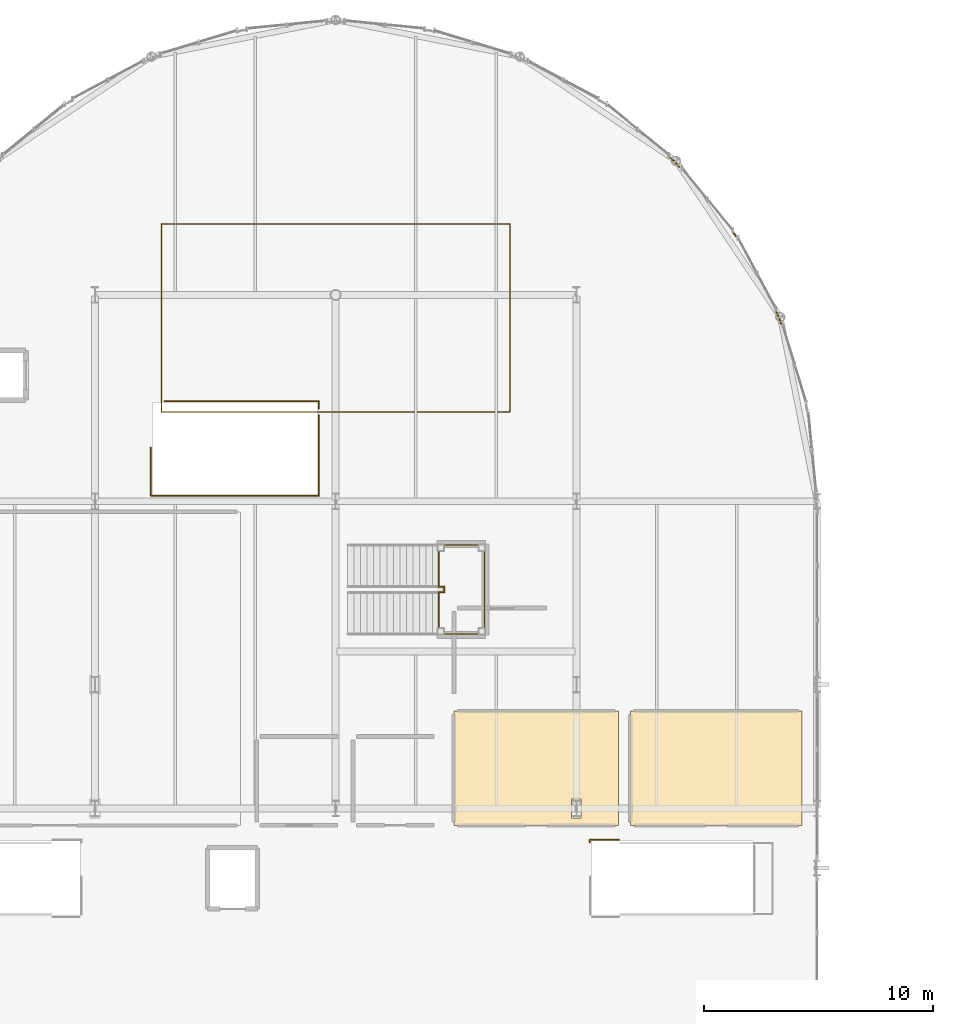
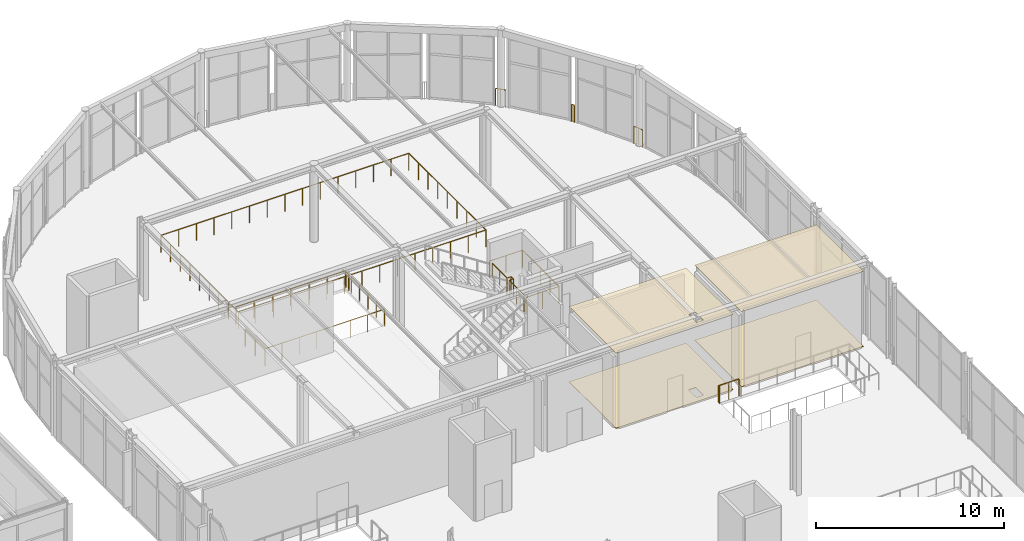
# One storey, part 182 of 195: 10 railings, 4 coverings.
"""IFC4 building model written with IfcOpenShell, lengths in metres."""

import ifcopenshell
import ifcopenshell.guid

model = None  # the IFC model being written
_history = None  # IfcOwnerHistory: only IFC2X3 demands one
_inside = {}  # id of a spatial element -> (the spatial element, [elements in it])
_under = {}  # id of a project, library or spatial element -> (it, [spatial elements below it])
_declared = {}  # id of a project -> (the project, [libraries it declares])
_typed = {}  # id of a type object -> (the type object, [elements of that type])
_made_of = {}  # id of a material, layer set ... -> (it, [elements and type objects made of it])


def new_model(schema):
    """Start an empty IFC model of exactly this schema.

    Asked for "IFC4X3", IfcOpenShell would pick the latest addendum, in which some entities
    have other attributes; the version numbers below select the first issue.
    IFC2X3 requires an IfcOwnerHistory on every rooted entity: one is made here for all.
    """
    global model, _history
    if schema == "IFC4X3":
        model = ifcopenshell.file(schema_version=(4, 3, 0, 0))
    else:
        model = ifcopenshell.file(schema=schema)
    _inside.clear()
    _under.clear()
    _declared.clear()
    _typed.clear()
    _made_of.clear()
    _history = None
    if model.schema == "IFC2X3":
        org = make("IfcOrganization", Name="unknown")
        user = make(
            "IfcPersonAndOrganization",
            ThePerson=make("IfcPerson", FamilyName="unknown"),
            TheOrganization=org,
        )
        app = make(
            "IfcApplication",
            ApplicationDeveloper=org,
            Version="unknown",
            ApplicationFullName="unknown",
            ApplicationIdentifier="unknown",
        )
        _history = make(
            "IfcOwnerHistory",
            OwningUser=user,
            OwningApplication=app,
            ChangeAction="ADDED",
            CreationDate=0,
        )
    return model


def make(cls, **values):
    """One entity of the class cls with the attributes given. An attribute that is None is left unset."""
    return model.create_entity(
        cls, **{name: value for name, value in values.items() if value is not None}
    )


def rooted(cls, **values):
    """An entity with a GlobalId (a new one), such as an element, a storey or a relation."""
    return make(cls, GlobalId=ifcopenshell.guid.new(), OwnerHistory=_history, **values)


def si_unit(unit_type, name, prefix=None):
    """IfcSIUnit, for example si_unit("LENGTHUNIT", "METRE", prefix="MILLI")."""
    return make("IfcSIUnit", UnitType=unit_type, Prefix=prefix, Name=name)


def assignment(units):
    """IfcUnitAssignment: the units of a project."""
    return None if units is None else make("IfcUnitAssignment", Units=units)


def point(xyz):
    """IfcCartesianPoint."""
    return None if xyz is None else make("IfcCartesianPoint", Coordinates=xyz)


def direction(xyz):
    """IfcDirection."""
    return None if xyz is None else make("IfcDirection", DirectionRatios=xyz)


def frame(location, z_axis=None, x_axis=None):
    """IfcAxis2Placement3D, a coordinate frame: its origin and axes. An axis left out is left unset."""
    return make(
        "IfcAxis2Placement3D",
        Location=point(location),
        Axis=direction(z_axis),
        RefDirection=direction(x_axis),
    )


def frame_2d(location, x_axis=None):
    """IfcAxis2Placement2D, a coordinate frame in the plane: its origin and x axis."""
    return make(
        "IfcAxis2Placement2D", Location=point(location), RefDirection=direction(x_axis)
    )


def origin():
    """The frame at (0, 0, 0) with its axes left unset."""
    return frame((0.0, 0.0, 0.0))


def origin_2d():
    """The frame at (0, 0) in the plane with its x axis left unset."""
    return frame_2d((0.0, 0.0))


def place(relative_to, where):
    """IfcLocalPlacement: puts the frame where relative to a parent placement (None: the world)."""
    return make(
        "IfcLocalPlacement", PlacementRelTo=relative_to, RelativePlacement=where
    )


def context(
    kind, dimensions, precision=None, world=None, true_north=None, identifier=None
):
    """IfcGeometricRepresentationContext, for example the 3D "Model" context."""
    return make(
        "IfcGeometricRepresentationContext",
        ContextIdentifier=identifier,
        ContextType=kind,
        CoordinateSpaceDimension=dimensions,
        Precision=precision,
        WorldCoordinateSystem=world,
        TrueNorth=true_north,
    )


def subcontext(parent, identifier, kind, view, scale=None):
    """IfcGeometricRepresentationSubContext, for example "Body" below "Model"."""
    return make(
        "IfcGeometricRepresentationSubContext",
        ContextIdentifier=identifier,
        ContextType=kind,
        ParentContext=parent,
        TargetScale=scale,
        TargetView=view,
    )


def project(units=None, contexts=None):
    """IfcProject with its units and contexts."""
    return rooted(
        "IfcProject",
        Name="project",
        RepresentationContexts=contexts,
        UnitsInContext=assignment(units),
    )


def spatial(cls, under=None, at=None, **own):
    """A site, building, storey or space (cls), placed at a placement, below another one or the project."""
    s = rooted(cls, ObjectPlacement=at, **own)
    if under is not None:
        _under.setdefault(under.id(), (under, []))[1].append(s)
    return s


def polyline(points):
    """IfcPolyline through the points."""
    return make("IfcPolyline", Points=[point(p) for p in points])


def profile(cls, at=None, kind="AREA", **sizes):
    """A parametric profile (cls). Its sizes go by their IFC names, for example OverallWidth=200.0."""
    return make(cls, ProfileType=kind, Position=at, **sizes)


def circle(**sizes):
    """IfcCircleProfileDef."""
    return profile("IfcCircleProfileDef", **sizes)


def outline(outer, holes=None, kind="AREA"):
    """IfcArbitraryClosedProfileDef: a profile drawn as a closed curve; with holes, ...WithVoids."""
    if holes is None:
        return make("IfcArbitraryClosedProfileDef", ProfileType=kind, OuterCurve=outer)
    return make(
        "IfcArbitraryProfileDefWithVoids",
        ProfileType=kind,
        OuterCurve=outer,
        InnerCurves=holes,
    )


def extrude(swept, where, along, depth):
    """IfcExtrudedAreaSolid: the profile swept, set in the frame where, extruded along a direction by depth."""
    return make(
        "IfcExtrudedAreaSolid",
        SweptArea=swept,
        Position=where,
        ExtrudedDirection=direction(along),
        Depth=depth,
    )


def shape(context_of_items, identifier, shape_type, items):
    """IfcShapeRepresentation: the items that make up one representation, for example the "Body"."""
    return make(
        "IfcShapeRepresentation",
        ContextOfItems=context_of_items,
        RepresentationIdentifier=identifier,
        RepresentationType=shape_type,
        Items=items,
    )


def material(Name=None, Category=None):
    """IfcMaterial."""
    return make("IfcMaterial", Name=Name, Category=Category)


def layer(
    of_material, thickness, ventilated=None, Name=None, Category=None, Priority=None
):
    """IfcMaterialLayer: one layer of a wall or slab, of a material (None: an air gap)."""
    return make(
        "IfcMaterialLayer",
        Material=of_material,
        LayerThickness=thickness,
        IsVentilated=ventilated,
        Name=Name,
        Category=Category,
        Priority=Priority,
    )


def layer_set(layers, Name=None):
    """IfcMaterialLayerSet."""
    return make("IfcMaterialLayerSet", MaterialLayers=layers, LayerSetName=Name)


def made_of(thing, what):
    """Note that an element or type object is made of a material, layer set ...; save() writes the relation."""
    if what is not None:
        _made_of.setdefault(what.id(), (what, []))[1].append(thing)
    return thing


def type_object(cls, material=None, **own):
    """A type object (cls), such as IfcWallType, which elements share."""
    return made_of(rooted(cls, **own), material)


def element(
    cls,
    number,
    at=None,
    inside=None,
    cuts=None,
    type_object=None,
    material=None,
    context=None,
    identifier="Body",
    shape_type=None,
    held_by="IfcProductDefinitionShape",
    body=None,
    shapes=None,
    **own,
):
    """One element of the class cls, such as IfcWall. Its Tag is "e" and its number.

    at: its placement. inside: the storey or other place that contains it. cuts: it is an
    opening in that element (IfcRelVoidsElement). A single representation is given by context,
    identifier, shape_type and body (its items); several are given by shapes. held_by: the class
    of the entity that holds the representations. save() writes the other relations.
    """
    e = rooted(cls, Tag="e%d" % number, ObjectPlacement=at, **own)
    if body is not None:
        shapes = [shape(context, identifier, shape_type, body)]
    if shapes is not None:
        e.Representation = make(held_by, Representations=shapes)
    if inside is not None:
        _inside.setdefault(inside.id(), (inside, []))[1].append(e)
    if cuts is not None:
        rooted(
            "IfcRelVoidsElement", RelatingBuildingElement=cuts, RelatedOpeningElement=e
        )
    if type_object is not None:
        _typed.setdefault(type_object.id(), (type_object, []))[1].append(e)
    return made_of(e, material)


def aggregate(whole, parts):
    """IfcRelAggregates: a whole, such as a stair, and the parts it consists of."""
    return rooted("IfcRelAggregates", RelatingObject=whole, RelatedObjects=parts)


def save(model, path):
    """Write the relations noted so far, then the file.

    IfcRelAggregates (storeys below a building ...), IfcRelContainedInSpatialStructure (elements
    in a storey), IfcRelDefinesByType, IfcRelAssociatesMaterial and IfcRelDeclares: one each for
    every whole, place, type object, material and project.
    """
    for whole, parts in _under.values():
        aggregate(whole, parts)
    for where, things in _inside.values():
        rooted(
            "IfcRelContainedInSpatialStructure",
            RelatedElements=things,
            RelatingStructure=where,
        )
    for kind, things in _typed.values():
        rooted("IfcRelDefinesByType", RelatedObjects=things, RelatingType=kind)
    for what, things in _made_of.values():
        rooted("IfcRelAssociatesMaterial", RelatedObjects=things, RelatingMaterial=what)
    for by, libraries in _declared.values():
        rooted("IfcRelDeclares", RelatingContext=by, RelatedDefinitions=libraries)
    model.write(path)


model = new_model("IFC4")

# Units and contexts
model_context = context("Model", 3, precision=1e-05, world=origin(), true_north=direction((0.0, 1.0)))
body_context = subcontext(model_context, "Body", "Model", "MODEL_VIEW")
ifc_project = project(units=[si_unit("LENGTHUNIT", "METRE"), si_unit("AREAUNIT", "SQUARE_METRE"), si_unit("VOLUMEUNIT", "CUBIC_METRE"), si_unit("PLANEANGLEUNIT", "RADIAN"), si_unit("MASSUNIT", "GRAM", prefix="KILO")], contexts=[model_context])

# Site, building, storey
site_placement = place(None, origin())
site = spatial("IfcSite", under=ifc_project, at=site_placement, CompositionType="ELEMENT")
building_placement = place(site_placement, origin())
building = spatial("IfcBuilding", under=site, at=building_placement, Name="Marlcrest Central Station", CompositionType="ELEMENT")
storey_placement = place(building_placement, frame((0.0, 0.0, 9.800048828125)))
storey = spatial("IfcBuildingStorey", under=building, at=storey_placement, Name="L02", CompositionType="ELEMENT", Elevation=9.800048828125)

# Coverings
ifc_material_1 = material(Name="Perforated acoustic mineral-fibre ceiling")
ifc_layer_1 = layer(ifc_material_1, 0.02490234375, Name="CV-CLG")
ifc_layer_set_1 = layer_set([ifc_layer_1], Name="Perforated acoustic mineral-fibre ceiling")
covering_type_1 = type_object("IfcCoveringType", Name="CV-CLG", PredefinedType="CEILING", material=ifc_layer_set_1)
covering_1_placement = place(storey_placement, frame((0.0, 0.0, 4.875)))
element("IfcCovering", 1, at=covering_1_placement, inside=storey, type_object=covering_type_1, Name="cov-clg-0097", PredefinedType="CEILING", context=body_context, shape_type="SweptSolid", body=[
    extrude(outline(polyline([(113.159912109375, 96.360107421875), (113.159912109375, 101.340087890625), (120.340087890625, 101.340087890625), (120.340087890625, 96.360107421875), (113.159912109375, 96.360107421875)]), holes=[polyline([(118.7099609375, 97.510009765625), (118.2900390625, 97.510009765625), (118.2900390625, 96.68994140625), (118.7099609375, 96.68994140625), (118.7099609375, 97.510009765625)])]), origin(), (0.0, 0.0, 1.0), 0.02490234375),
])
covering_2_placement = place(storey_placement, frame((0.0, 0.0, 4.875)))
element("IfcCovering", 2, at=covering_2_placement, inside=storey, type_object=covering_type_1, Name="cov-clg-0099", PredefinedType="CEILING", context=body_context, shape_type="SweptSolid", body=[
    extrude(outline(polyline([(128.340087890625, 96.360107421875), (128.340087890625, 101.340087890625), (120.860107421875, 101.340087890625), (120.860107421875, 96.360107421875), (128.340087890625, 96.360107421875)])), origin(), (0.0, 0.0, 1.0), 0.02490234375),
])
ifc_material_2 = material(Name="Polished terrazzo and tactile transit flooring")
ifc_layer_2 = layer(ifc_material_2, 0.030029296875, Name="CV-FLR")
ifc_layer_set_2 = layer_set([ifc_layer_2], Name="Polished terrazzo and tactile transit flooring")
covering_type_2 = type_object("IfcCoveringType", Name="CV-FLR", PredefinedType="FLOORING", material=ifc_layer_set_2)
covering_3_placement = place(storey_placement, origin())
element("IfcCovering", 3, at=covering_3_placement, inside=storey, type_object=covering_type_2, Name="cov-flr-0098", PredefinedType="FLOORING", context=body_context, shape_type="SweptSolid", body=[
    extrude(outline(polyline([(113.159912109375, 96.360107421875), (113.159912109375, 101.340087890625), (120.340087890625, 101.340087890625), (120.340087890625, 96.360107421875), (113.159912109375, 96.360107421875)]), holes=[polyline([(118.7099609375, 97.510009765625), (118.2900390625, 97.510009765625), (118.2900390625, 96.68994140625), (118.7099609375, 96.68994140625), (118.7099609375, 97.510009765625)])]), origin(), (0.0, 0.0, 1.0), 0.030029296875),
])
covering_4_placement = place(storey_placement, origin())
element("IfcCovering", 4, at=covering_4_placement, inside=storey, type_object=covering_type_2, Name="cov-flr-0100", PredefinedType="FLOORING", context=body_context, shape_type="SweptSolid", body=[
    extrude(outline(polyline([(128.340087890625, 96.360107421875), (128.340087890625, 101.340087890625), (120.860107421875, 101.340087890625), (120.860107421875, 96.360107421875), (128.340087890625, 96.360107421875)])), origin(), (0.0, 0.0, 1.0), 0.030029296875),
])

# Railings
ifc_material_3 = material(Name="Stainless steel and laminated glass concourse balustrade", Category="steel")
railing_type = type_object("IfcRailingType", Name="GR-02", PredefinedType="BALUSTRADE", material=ifc_material_3)
railing_1_placement = place(storey_placement, frame((100.39990234375, 114.39990234375, 0.0)))
element("IfcRailing", 5, at=railing_1_placement, inside=storey, type_object=railing_type, Name="grd-L02-0019", PredefinedType="BALUSTRADE", context=body_context, shape_type="SweptSolid", body=[
    extrude(circle(Radius=0.02392578125, at=origin_2d()), frame((0.0, 0.0, 1.09619140625), z_axis=(1.0, 0.0, 0.0), x_axis=(0.0, 1.0, 0.0)), (0.0, 0.0, 1.0), 15.2001953125),
    extrude(circle(Radius=0.02392578125, at=origin_2d()), frame((15.2001953125, 0.0, 1.09619140625), z_axis=(0.0, 1.0, 0.0), x_axis=(-1.0, 0.0, 0.0)), (0.0, 0.0, 1.0), 8.2001953125),
    extrude(circle(Radius=0.02392578125, at=origin_2d()), frame((15.2001953125, 8.2001953125, 1.09619140625), z_axis=(-1.0, 0.0, 0.0), x_axis=(0.0, -1.0, 0.0)), (0.0, 0.0, 1.0), 15.2001953125),
    extrude(circle(Radius=0.02392578125, at=origin_2d()), frame((0.0, 8.2001953125, 1.09619140625), z_axis=(0.0, -1.0, 0.0), x_axis=(1.0, 0.0, 0.0)), (0.0, 0.0, 1.0), 8.2001953125),
    extrude(circle(Radius=0.02099609375, at=origin_2d()), origin(), (0.0, 0.0, 1.0), 1.072021484375),
    extrude(circle(Radius=0.02099609375, at=origin_2d()), frame((1.085693359375, 0.0, 0.0)), (0.0, 0.0, 1.0), 1.072021484375),
    extrude(circle(Radius=0.02099609375, at=origin_2d()), frame((2.17138671875, 0.0, 0.0)), (0.0, 0.0, 1.0), 1.072021484375),
    extrude(circle(Radius=0.02099609375, at=origin_2d()), frame((3.257080078125, 0.0, 0.0)), (0.0, 0.0, 1.0), 1.072021484375),
    extrude(circle(Radius=0.02099609375, at=origin_2d()), frame((4.343017578125, 0.0, 0.0)), (0.0, 0.0, 1.0), 1.072021484375),
    extrude(circle(Radius=0.02099609375, at=origin_2d()), frame((5.4287109375, 0.0, 0.0)), (0.0, 0.0, 1.0), 1.072021484375),
    extrude(circle(Radius=0.02099609375, at=origin_2d()), frame((6.514404296875, 0.0, 0.0)), (0.0, 0.0, 1.0), 1.072021484375),
    extrude(circle(Radius=0.02099609375, at=origin_2d()), frame((7.60009765625, 0.0, 0.0)), (0.0, 0.0, 1.0), 1.072021484375),
    extrude(circle(Radius=0.02099609375, at=origin_2d()), frame((8.685791015625, 0.0, 0.0)), (0.0, 0.0, 1.0), 1.072021484375),
    extrude(circle(Radius=0.02099609375, at=origin_2d()), frame((9.771484375, 0.0, 0.0)), (0.0, 0.0, 1.0), 1.072021484375),
    extrude(circle(Radius=0.02099609375, at=origin_2d()), frame((10.857177734375, 0.0, 0.0)), (0.0, 0.0, 1.0), 1.072021484375),
    extrude(circle(Radius=0.02099609375, at=origin_2d()), frame((11.943115234375, 0.0, 0.0)), (0.0, 0.0, 1.0), 1.072021484375),
    extrude(circle(Radius=0.02099609375, at=origin_2d()), frame((13.02880859375, 0.0, 0.0)), (0.0, 0.0, 1.0), 1.072021484375),
    extrude(circle(Radius=0.02099609375, at=origin_2d()), frame((14.114501953125, 0.0, 0.0)), (0.0, 0.0, 1.0), 1.072021484375),
    extrude(circle(Radius=0.02099609375, at=origin_2d()), frame((15.2001953125, 0.0, 0.0)), (0.0, 0.0, 1.0), 1.072021484375),
    extrude(circle(Radius=0.02099609375, at=origin_2d()), frame((15.2001953125, 1.02490234375, 0.0)), (0.0, 0.0, 1.0), 1.072021484375),
    extrude(circle(Radius=0.02099609375, at=origin_2d()), frame((15.2001953125, 2.050048828125, 0.0)), (0.0, 0.0, 1.0), 1.072021484375),
    extrude(circle(Radius=0.02099609375, at=origin_2d()), frame((15.2001953125, 3.0751953125, 0.0)), (0.0, 0.0, 1.0), 1.072021484375),
    extrude(circle(Radius=0.02099609375, at=origin_2d()), frame((15.2001953125, 4.10009765625, 0.0)), (0.0, 0.0, 1.0), 1.072021484375),
    extrude(circle(Radius=0.02099609375, at=origin_2d()), frame((15.2001953125, 5.125, 0.0)), (0.0, 0.0, 1.0), 1.072021484375),
    extrude(circle(Radius=0.02099609375, at=origin_2d()), frame((15.2001953125, 6.150146484375, 0.0)), (0.0, 0.0, 1.0), 1.072021484375),
    extrude(circle(Radius=0.02099609375, at=origin_2d()), frame((15.2001953125, 7.17529296875, 0.0)), (0.0, 0.0, 1.0), 1.072021484375),
    extrude(circle(Radius=0.02099609375, at=origin_2d()), frame((15.2001953125, 8.2001953125, 0.0)), (0.0, 0.0, 1.0), 1.072021484375),
    extrude(circle(Radius=0.02099609375, at=origin_2d()), frame((14.114501953125, 8.2001953125, 0.0)), (0.0, 0.0, 1.0), 1.072021484375),
    extrude(circle(Radius=0.02099609375, at=origin_2d()), frame((13.02880859375, 8.2001953125, 0.0)), (0.0, 0.0, 1.0), 1.072021484375),
    extrude(circle(Radius=0.02099609375, at=origin_2d()), frame((11.943115234375, 8.2001953125, 0.0)), (0.0, 0.0, 1.0), 1.072021484375),
    extrude(circle(Radius=0.02099609375, at=origin_2d()), frame((10.857177734375, 8.2001953125, 0.0)), (0.0, 0.0, 1.0), 1.072021484375),
    extrude(circle(Radius=0.02099609375, at=origin_2d()), frame((9.771484375, 8.2001953125, 0.0)), (0.0, 0.0, 1.0), 1.072021484375),
    extrude(circle(Radius=0.02099609375, at=origin_2d()), frame((8.685791015625, 8.2001953125, 0.0)), (0.0, 0.0, 1.0), 1.072021484375),
    extrude(circle(Radius=0.02099609375, at=origin_2d()), frame((7.60009765625, 8.2001953125, 0.0)), (0.0, 0.0, 1.0), 1.072021484375),
    extrude(circle(Radius=0.02099609375, at=origin_2d()), frame((6.514404296875, 8.2001953125, 0.0)), (0.0, 0.0, 1.0), 1.072021484375),
    extrude(circle(Radius=0.02099609375, at=origin_2d()), frame((5.4287109375, 8.2001953125, 0.0)), (0.0, 0.0, 1.0), 1.072021484375),
    extrude(circle(Radius=0.02099609375, at=origin_2d()), frame((4.343017578125, 8.2001953125, 0.0)), (0.0, 0.0, 1.0), 1.072021484375),
    extrude(circle(Radius=0.02099609375, at=origin_2d()), frame((3.257080078125, 8.2001953125, 0.0)), (0.0, 0.0, 1.0), 1.072021484375),
    extrude(circle(Radius=0.02099609375, at=origin_2d()), frame((2.17138671875, 8.2001953125, 0.0)), (0.0, 0.0, 1.0), 1.072021484375),
    extrude(circle(Radius=0.02099609375, at=origin_2d()), frame((1.085693359375, 8.2001953125, 0.0)), (0.0, 0.0, 1.0), 1.072021484375),
    extrude(circle(Radius=0.02099609375, at=origin_2d()), frame((0.0, 8.2001953125, 0.0)), (0.0, 0.0, 1.0), 1.072021484375),
    extrude(circle(Radius=0.02099609375, at=origin_2d()), frame((0.0, 7.17529296875, 0.0)), (0.0, 0.0, 1.0), 1.072021484375),
    extrude(circle(Radius=0.02099609375, at=origin_2d()), frame((0.0, 6.150146484375, 0.0)), (0.0, 0.0, 1.0), 1.072021484375),
    extrude(circle(Radius=0.02099609375, at=origin_2d()), frame((0.0, 5.125, 0.0)), (0.0, 0.0, 1.0), 1.072021484375),
    extrude(circle(Radius=0.02099609375, at=origin_2d()), frame((0.0, 4.10009765625, 0.0)), (0.0, 0.0, 1.0), 1.072021484375),
    extrude(circle(Radius=0.02099609375, at=origin_2d()), frame((0.0, 3.0751953125, 0.0)), (0.0, 0.0, 1.0), 1.072021484375),
    extrude(circle(Radius=0.02099609375, at=origin_2d()), frame((0.0, 2.050048828125, 0.0)), (0.0, 0.0, 1.0), 1.072021484375),
    extrude(circle(Radius=0.02099609375, at=origin_2d()), frame((0.0, 1.02490234375, 0.0)), (0.0, 0.0, 1.0), 1.072021484375),
])
railing_2_placement = place(storey_placement, frame((112.469970703125, 104.7099609375, 2.599853515625)))
element("IfcRailing", 6, at=railing_2_placement, inside=storey, type_object=railing_type, Name="hr-L02-00200", PredefinedType="BALUSTRADE", context=body_context, shape_type="SweptSolid", body=[
    extrude(circle(Radius=0.02392578125, at=origin_2d()), frame((0.0, 0.0, 1.09619140625), z_axis=(1.0, 0.0, 0.0), x_axis=(0.0, 1.0, 0.0)), (0.0, 0.0, 1.0), 2.02001953125),
    extrude(circle(Radius=0.02392578125, at=origin_2d()), frame((2.02001953125, 0.0, 1.09619140625), z_axis=(0.0, 1.0, 0.0), x_axis=(-1.0, 0.0, 0.0)), (0.0, 0.0, 1.0), 3.880126953125),
    extrude(circle(Radius=0.02392578125, at=origin_2d()), frame((2.02001953125, 3.880126953125, 1.09619140625), z_axis=(-1.0, 0.0, 0.0), x_axis=(0.0, -1.0, 0.0)), (0.0, 0.0, 1.0), 2.02001953125),
    extrude(circle(Radius=0.02099609375, at=origin_2d()), origin(), (0.0, 0.0, 1.0), 1.072021484375),
    extrude(circle(Radius=0.02099609375, at=origin_2d()), frame((1.010009765625, 0.0, 0.0)), (0.0, 0.0, 1.0), 1.072021484375),
    extrude(circle(Radius=0.02099609375, at=origin_2d()), frame((2.02001953125, 0.0, 0.0)), (0.0, 0.0, 1.0), 1.072021484375),
    extrude(circle(Radius=0.02099609375, at=origin_2d()), frame((2.02001953125, 0.969970703125, 0.0)), (0.0, 0.0, 1.0), 1.072021484375),
    extrude(circle(Radius=0.02099609375, at=origin_2d()), frame((2.02001953125, 1.93994140625, 0.0)), (0.0, 0.0, 1.0), 1.072021484375),
    extrude(circle(Radius=0.02099609375, at=origin_2d()), frame((2.02001953125, 2.91015625, 0.0)), (0.0, 0.0, 1.0), 1.072021484375),
    extrude(circle(Radius=0.02099609375, at=origin_2d()), frame((2.02001953125, 3.880126953125, 0.0)), (0.0, 0.0, 1.0), 1.072021484375),
    extrude(circle(Radius=0.02099609375, at=origin_2d()), frame((1.010009765625, 3.880126953125, 0.0)), (0.0, 0.0, 1.0), 1.072021484375),
    extrude(circle(Radius=0.02099609375, at=origin_2d()), frame((0.0, 3.880126953125, 0.0)), (0.0, 0.0, 1.0), 1.072021484375),
])
railing_3_placement = place(storey_placement, frame((122.583984375, 125.489013671875, 0.0)))
element("IfcRailing", 7, at=railing_3_placement, inside=storey, type_object=railing_type, Name="hr-L02-00496", PredefinedType="BALUSTRADE", context=body_context, shape_type="SweptSolid", body=[
    extrude(circle(Radius=0.02392578125, at=origin_2d()), frame((0.0, 0.0, 1.09619140625), z_axis=(0.771342036425, -0.636420822133, 0.0), x_axis=(0.636420822133, 0.771342036425, 0.0)), (0.0, 0.0, 1.0), 0.28759765625),
    extrude(circle(Radius=0.02392578125, at=origin_2d()), frame((0.221923828125, -0.18310546875, 1.09619140625), z_axis=(0.636420822133, -0.771342036425, 0.0), x_axis=(0.771342036425, 0.636420822133, 0.0)), (0.0, 0.0, 1.0), 0.28759765625),
    extrude(circle(Radius=0.02099609375, at=origin_2d()), origin(), (0.0, 0.0, 1.0), 1.072021484375),
    extrude(circle(Radius=0.02099609375, at=origin_2d()), frame((0.221923828125, -0.18310546875, 0.0)), (0.0, 0.0, 1.0), 1.072021484375),
    extrude(circle(Radius=0.02099609375, at=origin_2d()), frame((0.405029296875, -0.405029296875, 0.0)), (0.0, 0.0, 1.0), 1.072021484375),
])
railing_4_placement = place(storey_placement, frame((125.35400390625, 122.202880859375, 0.0)))
element("IfcRailing", 8, at=railing_4_placement, inside=storey, type_object=railing_type, Name="hr-L02-00497", PredefinedType="BALUSTRADE", context=body_context, shape_type="SweptSolid", body=[
    extrude(circle(Radius=0.02392578125, at=origin_2d()), frame((0.0, 0.0, 1.09619140625), z_axis=(0.636952090501, -0.770903388504, 0.0), x_axis=(0.770903388504, 0.636952090501, 0.0)), (0.0, 0.0, 1.0), 0.08935546875),
    extrude(circle(Radius=0.02392578125, at=origin_2d()), frame((0.056884765625, -0.06884765625, 1.09619140625), z_axis=(0.464410514373, -0.885620050665, 0.0), x_axis=(0.885620050665, 0.464410514373, 0.0)), (0.0, 0.0, 1.0), 0.09033203125),
    extrude(circle(Radius=0.02099609375, at=origin_2d()), origin(), (0.0, 0.0, 1.0), 1.072021484375),
    extrude(circle(Radius=0.02099609375, at=origin_2d()), frame((0.056884765625, -0.06884765625, 0.0)), (0.0, 0.0, 1.0), 1.072021484375),
    extrude(circle(Radius=0.02099609375, at=origin_2d()), frame((0.098876953125, -0.14892578125, 0.0)), (0.0, 0.0, 1.0), 1.072021484375),
])
railing_5_placement = place(storey_placement, frame((127.2099609375, 118.76708984375, 0.0)))
element("IfcRailing", 9, at=railing_5_placement, inside=storey, type_object=railing_type, Name="hr-L02-00498", PredefinedType="BALUSTRADE", context=body_context, shape_type="SweptSolid", body=[
    extrude(circle(Radius=0.02392578125, at=origin_2d()), frame((0.0, 0.0, 1.09619140625), z_axis=(0.469134550261, -0.883126703113, 0.0), x_axis=(0.883126703113, 0.469134550261, 0.0)), (0.0, 0.0, 1.0), 0.287841796875),
    extrude(circle(Radius=0.02392578125, at=origin_2d()), frame((0.135009765625, -0.254150390625, 1.09619140625), z_axis=(0.291228991205, -0.956653372273, 0.0), x_axis=(0.956653372273, 0.291228991205, 0.0)), (0.0, 0.0, 1.0), 0.288330078125),
    extrude(circle(Radius=0.02099609375, at=origin_2d()), origin(), (0.0, 0.0, 1.0), 1.072021484375),
    extrude(circle(Radius=0.02099609375, at=origin_2d()), frame((0.135009765625, -0.254150390625, 0.0)), (0.0, 0.0, 1.0), 1.072021484375),
    extrude(circle(Radius=0.02099609375, at=origin_2d()), frame((0.218994140625, -0.530029296875, 0.0)), (0.0, 0.0, 1.0), 1.072021484375),
])
railing_6_placement = place(storey_placement, frame((120.347900390625, 95.72998046875, 0.0)))
element("IfcRailing", 10, at=railing_6_placement, inside=storey, type_object=railing_type, Name="hr-L02-00530", PredefinedType="BALUSTRADE", context=body_context, shape_type="SweptSolid", body=[
    extrude(circle(Radius=0.02392578125, at=origin_2d()), frame((0.0, 0.0, 1.09619140625), z_axis=(-1.0, 0.0, 0.0), x_axis=(0.0, -1.0, 0.0)), (0.0, 0.0, 1.0), 1.2578125),
    extrude(circle(Radius=0.02392578125, at=origin_2d()), frame((-1.2578125, 0.0, 1.09619140625), z_axis=(0.0, -1.0, 0.0), x_axis=(1.0, 0.0, 0.0)), (0.0, 0.0, 1.0), 0.10986328125),
    extrude(circle(Radius=0.02099609375, at=origin_2d()), origin(), (0.0, 0.0, 1.0), 1.072021484375),
    extrude(circle(Radius=0.02099609375, at=origin_2d()), frame((-0.62890625, 0.0, 0.0)), (0.0, 0.0, 1.0), 1.072021484375),
    extrude(circle(Radius=0.02099609375, at=origin_2d()), frame((-1.2578125, 0.0, 0.0)), (0.0, 0.0, 1.0), 1.072021484375),
    extrude(circle(Radius=0.02099609375, at=origin_2d()), frame((-1.2578125, -0.10986328125, 0.0)), (0.0, 0.0, 1.0), 1.072021484375),
])
railing_7_placement = place(storey_placement, frame((99.93994140625, 110.739990234375, 0.0)))
element("IfcRailing", 11, at=railing_7_placement, inside=storey, type_object=railing_type, Name="hr-L02-00547", PredefinedType="BALUSTRADE", context=body_context, shape_type="SweptSolid", body=[
    extrude(circle(Radius=0.02392578125, at=origin_2d()), frame((0.0, 0.0, 1.09619140625), z_axis=(1.0, 0.0, 0.0), x_axis=(0.0, 1.0, 0.0)), (0.0, 0.0, 1.0), 7.320068359375),
    extrude(circle(Radius=0.02392578125, at=origin_2d()), frame((7.320068359375, 0.0, 1.09619140625), z_axis=(0.0, 1.0, 0.0), x_axis=(-1.0, 0.0, 0.0)), (0.0, 0.0, 1.0), 3.52001953125),
    extrude(circle(Radius=0.02099609375, at=origin_2d()), origin(), (0.0, 0.0, 1.0), 1.072021484375),
    extrude(circle(Radius=0.02099609375, at=origin_2d()), frame((1.045654296875, 0.0, 0.0)), (0.0, 0.0, 1.0), 1.072021484375),
    extrude(circle(Radius=0.02099609375, at=origin_2d()), frame((2.091552734375, 0.0, 0.0)), (0.0, 0.0, 1.0), 1.072021484375),
    extrude(circle(Radius=0.02099609375, at=origin_2d()), frame((3.13720703125, 0.0, 0.0)), (0.0, 0.0, 1.0), 1.072021484375),
    extrude(circle(Radius=0.02099609375, at=origin_2d()), frame((4.182861328125, 0.0, 0.0)), (0.0, 0.0, 1.0), 1.072021484375),
    extrude(circle(Radius=0.02099609375, at=origin_2d()), frame((5.228515625, 0.0, 0.0)), (0.0, 0.0, 1.0), 1.072021484375),
    extrude(circle(Radius=0.02099609375, at=origin_2d()), frame((6.2744140625, 0.0, 0.0)), (0.0, 0.0, 1.0), 1.072021484375),
    extrude(circle(Radius=0.02099609375, at=origin_2d()), frame((7.320068359375, 0.0, 0.0)), (0.0, 0.0, 1.0), 1.072021484375),
    extrude(circle(Radius=0.02099609375, at=origin_2d()), frame((7.320068359375, 0.8798828125, 0.0)), (0.0, 0.0, 1.0), 1.072021484375),
    extrude(circle(Radius=0.02099609375, at=origin_2d()), frame((7.320068359375, 1.760009765625, 0.0)), (0.0, 0.0, 1.0), 1.072021484375),
    extrude(circle(Radius=0.02099609375, at=origin_2d()), frame((7.320068359375, 2.64013671875, 0.0)), (0.0, 0.0, 1.0), 1.072021484375),
    extrude(circle(Radius=0.02099609375, at=origin_2d()), frame((7.320068359375, 3.52001953125, 0.0)), (0.0, 0.0, 1.0), 1.072021484375),
])
railing_8_placement = place(storey_placement, frame((107.260009765625, 114.5400390625, 0.0)))
element("IfcRailing", 12, at=railing_8_placement, inside=storey, type_object=railing_type, Name="hr-L02-00548", PredefinedType="BALUSTRADE", context=body_context, shape_type="SweptSolid", body=[
    extrude(circle(Radius=0.02392578125, at=origin_2d()), frame((0.0, 0.0, 1.09619140625), z_axis=(0.0, 1.0, 0.0), x_axis=(-1.0, 0.0, 0.0)), (0.0, 0.0, 1.0), 0.320068359375),
    extrude(circle(Radius=0.02392578125, at=origin_2d()), frame((0.0, 0.320068359375, 1.09619140625), z_axis=(-1.0, 0.0, 0.0), x_axis=(0.0, -1.0, 0.0)), (0.0, 0.0, 1.0), 6.719970703125),
    extrude(circle(Radius=0.02099609375, at=origin_2d()), origin(), (0.0, 0.0, 1.0), 1.072021484375),
    extrude(circle(Radius=0.02099609375, at=origin_2d()), frame((0.0, 0.320068359375, 0.0)), (0.0, 0.0, 1.0), 1.072021484375),
    extrude(circle(Radius=0.02099609375, at=origin_2d()), frame((-1.1201171875, 0.320068359375, 0.0)), (0.0, 0.0, 1.0), 1.072021484375),
    extrude(circle(Radius=0.02099609375, at=origin_2d()), frame((-2.239990234375, 0.320068359375, 0.0)), (0.0, 0.0, 1.0), 1.072021484375),
    extrude(circle(Radius=0.02099609375, at=origin_2d()), frame((-3.35986328125, 0.320068359375, 0.0)), (0.0, 0.0, 1.0), 1.072021484375),
    extrude(circle(Radius=0.02099609375, at=origin_2d()), frame((-4.47998046875, 0.320068359375, 0.0)), (0.0, 0.0, 1.0), 1.072021484375),
    extrude(circle(Radius=0.02099609375, at=origin_2d()), frame((-5.60009765625, 0.320068359375, 0.0)), (0.0, 0.0, 1.0), 1.072021484375),
    extrude(circle(Radius=0.02099609375, at=origin_2d()), frame((-6.719970703125, 0.320068359375, 0.0)), (0.0, 0.0, 1.0), 1.072021484375),
])
railing_9_placement = place(storey_placement, frame((99.93994140625, 112.840087890625, 0.0)))
element("IfcRailing", 13, at=railing_9_placement, inside=storey, type_object=railing_type, Name="hr-L02-00549", PredefinedType="BALUSTRADE", context=body_context, shape_type="SweptSolid", body=[
    extrude(circle(Radius=0.02392578125, at=origin_2d()), frame((0.0, 0.0, 1.09619140625), z_axis=(0.0, -1.0, 0.0), x_axis=(1.0, 0.0, 0.0)), (0.0, 0.0, 1.0), 2.10009765625),
    extrude(circle(Radius=0.02099609375, at=origin_2d()), origin(), (0.0, 0.0, 1.0), 1.072021484375),
    extrude(circle(Radius=0.02099609375, at=origin_2d()), frame((0.0, -1.050048828125, 0.0)), (0.0, 0.0, 1.0), 1.072021484375),
    extrude(circle(Radius=0.02099609375, at=origin_2d()), frame((0.0, -2.10009765625, 0.0)), (0.0, 0.0, 1.0), 1.072021484375),
])
railing_10_placement = place(storey_placement, frame((112.489990234375, 104.9599609375, 2.599853515625)))
element("IfcRailing", 14, at=railing_10_placement, inside=storey, type_object=railing_type, Name="hr-L02-00594", PredefinedType="BALUSTRADE", context=body_context, shape_type="SweptSolid", body=[
    extrude(circle(Radius=0.02392578125, at=origin_2d()), frame((0.0, 0.0, 1.09619140625), z_axis=(0.0, 1.0, 0.0), x_axis=(-1.0, 0.0, 0.0)), (0.0, 0.0, 1.0), 1.570068359375),
    extrude(circle(Radius=0.02392578125, at=origin_2d()), frame((0.0, 1.570068359375, 1.09619140625), z_axis=(1.0, 0.0, 0.0), x_axis=(0.0, 1.0, 0.0)), (0.0, 0.0, 1.0), 0.25),
    extrude(circle(Radius=0.02392578125, at=origin_2d()), frame((0.25, 1.570068359375, 1.09619140625), z_axis=(0.0, 1.0, 0.0), x_axis=(-1.0, 0.0, 0.0)), (0.0, 0.0, 1.0), 0.239990234375),
    extrude(circle(Radius=0.02392578125, at=origin_2d()), frame((0.25, 1.81005859375, 1.09619140625), z_axis=(-1.0, 0.0, 0.0), x_axis=(0.0, -1.0, 0.0)), (0.0, 0.0, 1.0), 0.25),
    extrude(circle(Radius=0.02392578125, at=origin_2d()), frame((0.0, 1.81005859375, 1.09619140625), z_axis=(0.0, 1.0, 0.0), x_axis=(-1.0, 0.0, 0.0)), (0.0, 0.0, 1.0), 1.570068359375),
    extrude(circle(Radius=0.02099609375, at=origin_2d()), origin(), (0.0, 0.0, 1.0), 1.072021484375),
    extrude(circle(Radius=0.02099609375, at=origin_2d()), frame((0.0, 0.78515625, 0.0)), (0.0, 0.0, 1.0), 1.072021484375),
    extrude(circle(Radius=0.02099609375, at=origin_2d()), frame((0.0, 1.570068359375, 0.0)), (0.0, 0.0, 1.0), 1.072021484375),
    extrude(circle(Radius=0.02099609375, at=origin_2d()), frame((0.25, 1.570068359375, 0.0)), (0.0, 0.0, 1.0), 1.072021484375),
    extrude(circle(Radius=0.02099609375, at=origin_2d()), frame((0.25, 1.81005859375, 0.0)), (0.0, 0.0, 1.0), 1.072021484375),
    extrude(circle(Radius=0.02099609375, at=origin_2d()), frame((0.0, 1.81005859375, 0.0)), (0.0, 0.0, 1.0), 1.072021484375),
    extrude(circle(Radius=0.02099609375, at=origin_2d()), frame((0.0, 2.59521484375, 0.0)), (0.0, 0.0, 1.0), 1.072021484375),
    extrude(circle(Radius=0.02099609375, at=origin_2d()), frame((0.0, 3.380126953125, 0.0)), (0.0, 0.0, 1.0), 1.072021484375),
])

save(model, "model.ifc")
